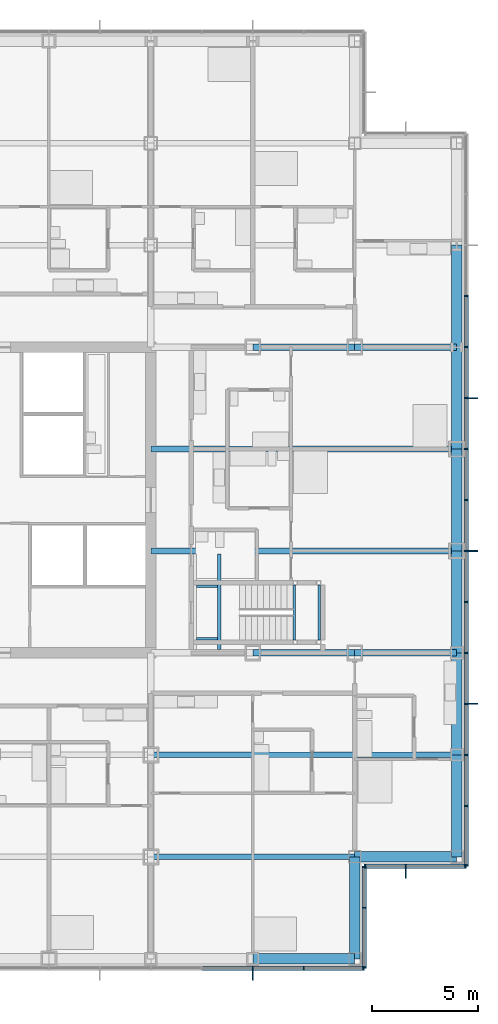
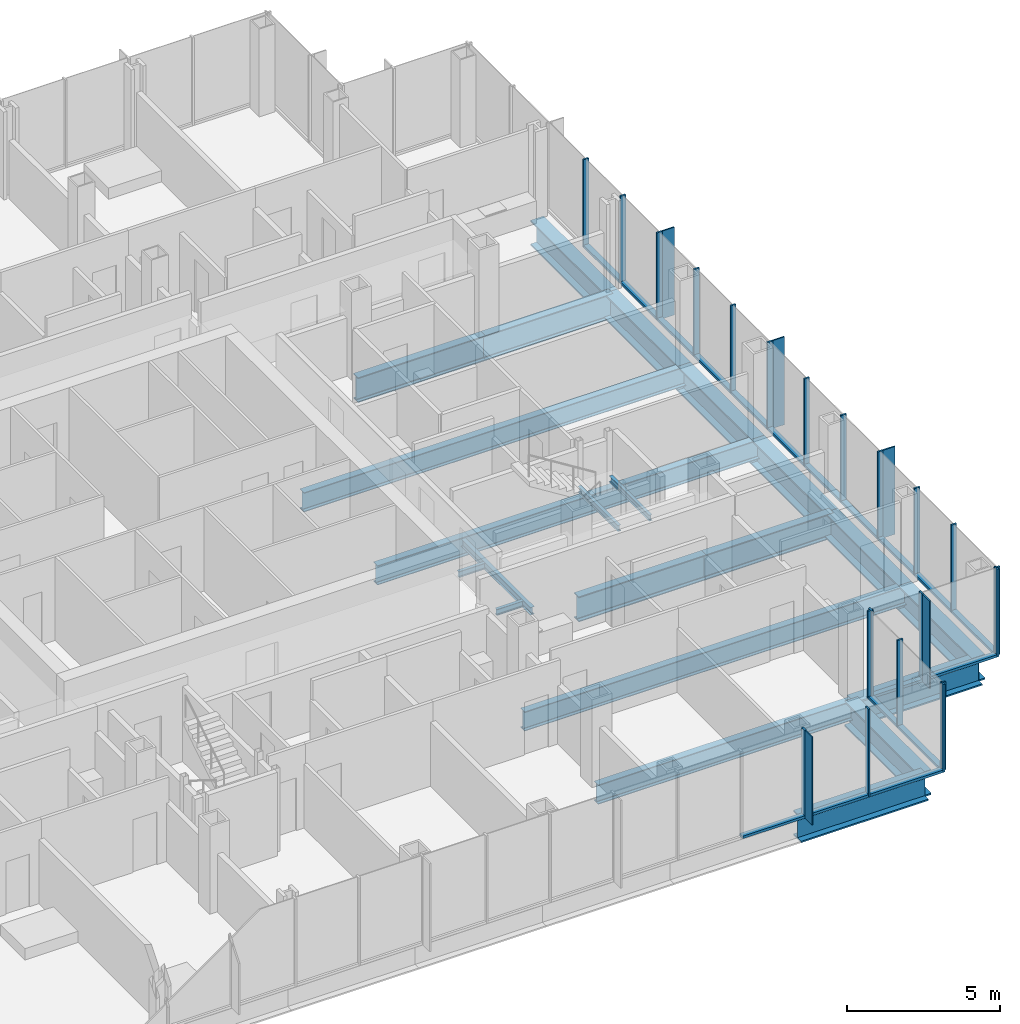
# One storey, part 9 of 21: 44 members, 22 beams, 4 elements without a shape of their own.
"""IFC4 building model written with IfcOpenShell, lengths in metres."""

from ifc_helpers import new_model, si_unit, direction, frame, origin, origin_2d, place, context, subcontext, project, spatial, rectangle, i_section, extrude, material, material_profile, profile_set, type_object, element, aggregate, save


model = new_model("IFC4")

# Units and contexts
model_context = context("Model", 3, precision=1e-05, world=origin(), true_north=direction((0.0, 1.0)))
body_context = subcontext(model_context, "Body", "Model", "MODEL_VIEW")
ifc_project = project(units=[si_unit("LENGTHUNIT", "METRE"), si_unit("AREAUNIT", "SQUARE_METRE"), si_unit("VOLUMEUNIT", "CUBIC_METRE"), si_unit("PLANEANGLEUNIT", "RADIAN"), si_unit("MASSUNIT", "GRAM", prefix="KILO")], contexts=[model_context])

# Site, building, storey
site_placement = place(None, origin())
site = spatial("IfcSite", under=ifc_project, at=site_placement, CompositionType="ELEMENT")
building_placement = place(site_placement, origin())
building = spatial("IfcBuilding", under=site, at=building_placement, Name="Kvirike Care Tower", CompositionType="ELEMENT")
storey_placement = place(building_placement, frame((0.0, 0.0, 41.0)))
storey = spatial("IfcBuildingStorey", under=building, at=storey_placement, Name="L10", CompositionType="ELEMENT", Elevation=41.0)

# Curtain wall, member
ifc_material_1 = material(Name="Anodised aluminium stick system", Category="aluminium")
curtain_wall_type = type_object("IfcCurtainWallType", Name="CW-A STICK CURTAIN WALL", PredefinedType="NOTDEFINED", material=ifc_material_1)
curtain_wall_1_placement = place(storey_placement, origin())
curtain_wall_1 = element("IfcCurtainWall", 1, at=curtain_wall_1_placement, inside=storey, type_object=curtain_wall_type, Name="Curtain wall L10 face 4", PredefinedType="NOTDEFINED")
ifc_material_2 = material(Name="Bronze anodised aluminium fin", Category="aluminium")
ifc_material_profile_1 = material_profile(ifc_material_2, rectangle(XDim=0.050048828125, YDim=0.449951171875, at=origin_2d()), Name="BRONZE FIN 450")
ifc_profile_set_1 = profile_set([ifc_material_profile_1], Name="Bronze anodised aluminium fin")
member_type_1 = type_object("IfcMemberType", Name="BRONZE FIN 450", PredefinedType="USERDEFINED", material=ifc_profile_set_1)
member_1_placement = place(storey_placement, frame((33.60009765625, 13.625, 0.0), z_axis=(0.0, 0.0, 1.0), x_axis=(1.0, 0.0, 0.0)))
member_1 = element("IfcMember", 2, at=member_1_placement, type_object=member_type_1, Name="Bronze fin L10 face 4.13", ObjectType="FIN", PredefinedType="USERDEFINED", context=body_context, shape_type="SweptSolid", body=[
    extrude(rectangle(XDim=0.050048828125, YDim=0.449951171875, at=origin_2d()), origin(), (0.0, 0.0, 1.0), 3.5),
])

curtain_wall_2_placement = place(storey_placement, origin())
curtain_wall_2 = element("IfcCurtainWall", 3, at=curtain_wall_2_placement, inside=storey, type_object=curtain_wall_type, Name="Curtain wall L10 face 6", PredefinedType="NOTDEFINED")
member_2_placement = place(storey_placement, frame((40.800048828125, 18.425048828125, 0.0), z_axis=(0.0, 0.0, 1.0), x_axis=(1.0, 0.0, 0.0)))
member_2 = element("IfcMember", 4, at=member_2_placement, type_object=member_type_1, Name="Bronze fin L10 face 6.2", ObjectType="FIN", PredefinedType="USERDEFINED", context=body_context, shape_type="SweptSolid", body=[
    extrude(rectangle(XDim=0.050048828125, YDim=0.449951171875, at=origin_2d()), origin(), (0.0, 0.0, 1.0), 3.5),
])

# Curtain wall, members
curtain_wall_3_placement = place(storey_placement, origin())
curtain_wall_3 = element("IfcCurtainWall", 5, at=curtain_wall_3_placement, inside=storey, type_object=curtain_wall_type, Name="Curtain wall L10 face 7", PredefinedType="NOTDEFINED")
member_3_placement = place(storey_placement, frame((43.97509765625, 26.39990234375, 0.0), z_axis=(0.0, 0.0, 1.0), x_axis=(0.0, 1.0, 0.0)))
member_3 = element("IfcMember", 6, at=member_3_placement, type_object=member_type_1, Name="Bronze fin L10 face 7.4", ObjectType="FIN", PredefinedType="USERDEFINED", context=body_context, shape_type="SweptSolid", body=[
    extrude(rectangle(XDim=0.050048828125, YDim=0.449951171875, at=origin_2d()), origin(), (0.0, 0.0, 1.0), 3.5),
])
member_4_placement = place(storey_placement, frame((43.97509765625, 33.60009765625, 0.0), z_axis=(0.0, 0.0, 1.0), x_axis=(0.0, 1.0, 0.0)))
member_4 = element("IfcMember", 7, at=member_4_placement, type_object=member_type_1, Name="Bronze fin L10 face 7.7", ObjectType="FIN", PredefinedType="USERDEFINED", context=body_context, shape_type="SweptSolid", body=[
    extrude(rectangle(XDim=0.050048828125, YDim=0.449951171875, at=origin_2d()), origin(), (0.0, 0.0, 1.0), 3.5),
])
member_5_placement = place(storey_placement, frame((43.97509765625, 40.800048828125, 0.0), z_axis=(0.0, 0.0, 1.0), x_axis=(0.0, 1.0, 0.0)))
member_5 = element("IfcMember", 8, at=member_5_placement, type_object=member_type_1, Name="Bronze fin L10 face 7.10", ObjectType="FIN", PredefinedType="USERDEFINED", context=body_context, shape_type="SweptSolid", body=[
    extrude(rectangle(XDim=0.050048828125, YDim=0.449951171875, at=origin_2d()), origin(), (0.0, 0.0, 1.0), 3.5),
])

# Member
ifc_material_3 = material(Name="Bronze anodised aluminium mullion", Category="aluminium")
ifc_material_profile_2 = material_profile(ifc_material_3, rectangle(XDim=0.06494140625, YDim=0.199951171875, at=origin_2d()), Name="CW-A MULLION 65x200")
ifc_profile_set_2 = profile_set([ifc_material_profile_2], Name="Bronze anodised aluminium mullion")
member_type_2 = type_object("IfcMemberType", Name="CW-A MULLION 65x200", PredefinedType="MULLION", material=ifc_profile_set_2)
member_6_placement = place(storey_placement, frame((33.60009765625, 13.949951171875, 0.0), z_axis=(0.0, 0.0, 1.0), x_axis=(1.0, 0.0, 0.0)))
member_6 = element("IfcMember", 9, at=member_6_placement, type_object=member_type_2, Name="CW-A mullion L10 face 4.13", PredefinedType="MULLION", context=body_context, shape_type="SweptSolid", body=[
    extrude(rectangle(XDim=0.06494140625, YDim=0.199951171875, at=origin_2d()), origin(), (0.0, 0.0, 1.0), 3.5),
])

member_7_placement = place(storey_placement, frame((36.0, 13.949951171875, 0.0), z_axis=(0.0, 0.0, 1.0), x_axis=(1.0, 0.0, 0.0)))
member_7 = element("IfcMember", 10, at=member_7_placement, type_object=member_type_2, Name="CW-A mullion L10 face 4.14", PredefinedType="MULLION", context=body_context, shape_type="SweptSolid", body=[
    extrude(rectangle(XDim=0.06494140625, YDim=0.199951171875, at=origin_2d()), origin(), (0.0, 0.0, 1.0), 3.5),
])

member_8_placement = place(storey_placement, frame((38.8173828125, 13.949951171875, 0.0), z_axis=(0.0, 0.0, 1.0), x_axis=(1.0, 0.0, 0.0)))
member_8 = element("IfcMember", 11, at=member_8_placement, type_object=member_type_2, Name="CW-A mullion L10 face 4.15", PredefinedType="MULLION", context=body_context, shape_type="SweptSolid", body=[
    extrude(rectangle(XDim=0.06494140625, YDim=0.199951171875, at=origin_2d()), origin(), (0.0, 0.0, 1.0), 3.5),
])

# Curtain wall, members
curtain_wall_4_placement = place(storey_placement, origin())
curtain_wall_4 = element("IfcCurtainWall", 12, at=curtain_wall_4_placement, inside=storey, type_object=curtain_wall_type, Name="Curtain wall L10 face 5", PredefinedType="NOTDEFINED")
member_9_placement = place(storey_placement, frame((38.85009765625, 13.982421875, 0.0), z_axis=(0.0, 0.0, 1.0), x_axis=(0.0, 1.0, 0.0)))
member_9 = element("IfcMember", 13, at=member_9_placement, type_object=member_type_2, Name="CW-A mullion L10 face 5.1", PredefinedType="MULLION", context=body_context, shape_type="SweptSolid", body=[
    extrude(rectangle(XDim=0.06494140625, YDim=0.199951171875, at=origin_2d()), origin(), (0.0, 0.0, 1.0), 3.5),
])
member_10_placement = place(storey_placement, frame((38.85009765625, 16.800048828125, 0.0), z_axis=(0.0, 0.0, 1.0), x_axis=(0.0, 1.0, 0.0)))
member_10 = element("IfcMember", 14, at=member_10_placement, type_object=member_type_2, Name="CW-A mullion L10 face 5.2", PredefinedType="MULLION", context=body_context, shape_type="SweptSolid", body=[
    extrude(rectangle(XDim=0.06494140625, YDim=0.199951171875, at=origin_2d()), origin(), (0.0, 0.0, 1.0), 3.5),
])
member_11_placement = place(storey_placement, frame((38.85009765625, 18.717529296875, 0.0), z_axis=(0.0, 0.0, 1.0), x_axis=(0.0, 1.0, 0.0)))
member_11 = element("IfcMember", 15, at=member_11_placement, type_object=member_type_2, Name="CW-A mullion L10 face 5.3", PredefinedType="MULLION", context=body_context, shape_type="SweptSolid", body=[
    extrude(rectangle(XDim=0.06494140625, YDim=0.199951171875, at=origin_2d()), origin(), (0.0, 0.0, 1.0), 3.5),
])

# Member
member_12_placement = place(storey_placement, frame((38.882568359375, 18.75, 0.0), z_axis=(0.0, 0.0, 1.0), x_axis=(1.0, 0.0, 0.0)))
member_12 = element("IfcMember", 16, at=member_12_placement, type_object=member_type_2, Name="CW-A mullion L10 face 6.1", PredefinedType="MULLION", context=body_context, shape_type="SweptSolid", body=[
    extrude(rectangle(XDim=0.06494140625, YDim=0.199951171875, at=origin_2d()), origin(), (0.0, 0.0, 1.0), 3.5),
])

member_13_placement = place(storey_placement, frame((40.800048828125, 18.75, 0.0), z_axis=(0.0, 0.0, 1.0), x_axis=(1.0, 0.0, 0.0)))
member_13 = element("IfcMember", 17, at=member_13_placement, type_object=member_type_2, Name="CW-A mullion L10 face 6.2", PredefinedType="MULLION", context=body_context, shape_type="SweptSolid", body=[
    extrude(rectangle(XDim=0.06494140625, YDim=0.199951171875, at=origin_2d()), origin(), (0.0, 0.0, 1.0), 3.5),
])

member_14_placement = place(storey_placement, frame((43.617431640625, 18.75, 0.0), z_axis=(0.0, 0.0, 1.0), x_axis=(1.0, 0.0, 0.0)))
member_14 = element("IfcMember", 18, at=member_14_placement, type_object=member_type_2, Name="CW-A mullion L10 face 6.3", PredefinedType="MULLION", context=body_context, shape_type="SweptSolid", body=[
    extrude(rectangle(XDim=0.06494140625, YDim=0.199951171875, at=origin_2d()), origin(), (0.0, 0.0, 1.0), 3.5),
])

member_15_placement = place(storey_placement, frame((43.64990234375, 18.782470703125, 0.0), z_axis=(0.0, 0.0, 1.0), x_axis=(0.0, 1.0, 0.0)))
member_15 = element("IfcMember", 19, at=member_15_placement, type_object=member_type_2, Name="CW-A mullion L10 face 7.1", PredefinedType="MULLION", context=body_context, shape_type="SweptSolid", body=[
    extrude(rectangle(XDim=0.06494140625, YDim=0.199951171875, at=origin_2d()), origin(), (0.0, 0.0, 1.0), 3.5),
])

member_16_placement = place(storey_placement, frame((43.64990234375, 21.60009765625, 0.0), z_axis=(0.0, 0.0, 1.0), x_axis=(0.0, 1.0, 0.0)))
member_16 = element("IfcMember", 20, at=member_16_placement, type_object=member_type_2, Name="CW-A mullion L10 face 7.2", PredefinedType="MULLION", context=body_context, shape_type="SweptSolid", body=[
    extrude(rectangle(XDim=0.06494140625, YDim=0.199951171875, at=origin_2d()), origin(), (0.0, 0.0, 1.0), 3.5),
])

member_17_placement = place(storey_placement, frame((43.64990234375, 24.0, 0.0), z_axis=(0.0, 0.0, 1.0), x_axis=(0.0, 1.0, 0.0)))
member_17 = element("IfcMember", 21, at=member_17_placement, type_object=member_type_2, Name="CW-A mullion L10 face 7.3", PredefinedType="MULLION", context=body_context, shape_type="SweptSolid", body=[
    extrude(rectangle(XDim=0.06494140625, YDim=0.199951171875, at=origin_2d()), origin(), (0.0, 0.0, 1.0), 3.5),
])

member_18_placement = place(storey_placement, frame((43.64990234375, 26.39990234375, 0.0), z_axis=(0.0, 0.0, 1.0), x_axis=(0.0, 1.0, 0.0)))
member_18 = element("IfcMember", 22, at=member_18_placement, type_object=member_type_2, Name="CW-A mullion L10 face 7.4", PredefinedType="MULLION", context=body_context, shape_type="SweptSolid", body=[
    extrude(rectangle(XDim=0.06494140625, YDim=0.199951171875, at=origin_2d()), origin(), (0.0, 0.0, 1.0), 3.5),
])

member_19_placement = place(storey_placement, frame((43.64990234375, 28.800048828125, 0.0), z_axis=(0.0, 0.0, 1.0), x_axis=(0.0, 1.0, 0.0)))
member_19 = element("IfcMember", 23, at=member_19_placement, type_object=member_type_2, Name="CW-A mullion L10 face 7.5", PredefinedType="MULLION", context=body_context, shape_type="SweptSolid", body=[
    extrude(rectangle(XDim=0.06494140625, YDim=0.199951171875, at=origin_2d()), origin(), (0.0, 0.0, 1.0), 3.5),
])

member_20_placement = place(storey_placement, frame((43.64990234375, 31.199951171875, 0.0), z_axis=(0.0, 0.0, 1.0), x_axis=(0.0, 1.0, 0.0)))
member_20 = element("IfcMember", 24, at=member_20_placement, type_object=member_type_2, Name="CW-A mullion L10 face 7.6", PredefinedType="MULLION", context=body_context, shape_type="SweptSolid", body=[
    extrude(rectangle(XDim=0.06494140625, YDim=0.199951171875, at=origin_2d()), origin(), (0.0, 0.0, 1.0), 3.5),
])

member_21_placement = place(storey_placement, frame((43.64990234375, 33.60009765625, 0.0), z_axis=(0.0, 0.0, 1.0), x_axis=(0.0, 1.0, 0.0)))
member_21 = element("IfcMember", 25, at=member_21_placement, type_object=member_type_2, Name="CW-A mullion L10 face 7.7", PredefinedType="MULLION", context=body_context, shape_type="SweptSolid", body=[
    extrude(rectangle(XDim=0.06494140625, YDim=0.199951171875, at=origin_2d()), origin(), (0.0, 0.0, 1.0), 3.5),
])

member_22_placement = place(storey_placement, frame((43.64990234375, 36.0, 0.0), z_axis=(0.0, 0.0, 1.0), x_axis=(0.0, 1.0, 0.0)))
member_22 = element("IfcMember", 26, at=member_22_placement, type_object=member_type_2, Name="CW-A mullion L10 face 7.8", PredefinedType="MULLION", context=body_context, shape_type="SweptSolid", body=[
    extrude(rectangle(XDim=0.06494140625, YDim=0.199951171875, at=origin_2d()), origin(), (0.0, 0.0, 1.0), 3.5),
])

member_23_placement = place(storey_placement, frame((43.64990234375, 38.39990234375, 0.0), z_axis=(0.0, 0.0, 1.0), x_axis=(0.0, 1.0, 0.0)))
member_23 = element("IfcMember", 27, at=member_23_placement, type_object=member_type_2, Name="CW-A mullion L10 face 7.9", PredefinedType="MULLION", context=body_context, shape_type="SweptSolid", body=[
    extrude(rectangle(XDim=0.06494140625, YDim=0.199951171875, at=origin_2d()), origin(), (0.0, 0.0, 1.0), 3.5),
])

member_24_placement = place(storey_placement, frame((43.64990234375, 40.800048828125, 0.0), z_axis=(0.0, 0.0, 1.0), x_axis=(0.0, 1.0, 0.0)))
member_24 = element("IfcMember", 28, at=member_24_placement, type_object=member_type_2, Name="CW-A mullion L10 face 7.10", PredefinedType="MULLION", context=body_context, shape_type="SweptSolid", body=[
    extrude(rectangle(XDim=0.06494140625, YDim=0.199951171875, at=origin_2d()), origin(), (0.0, 0.0, 1.0), 3.5),
])

member_25_placement = place(storey_placement, frame((43.64990234375, 43.199951171875, 0.0), z_axis=(0.0, 0.0, 1.0), x_axis=(0.0, 1.0, 0.0)))
member_25 = element("IfcMember", 29, at=member_25_placement, type_object=member_type_2, Name="CW-A mullion L10 face 7.11", PredefinedType="MULLION", context=body_context, shape_type="SweptSolid", body=[
    extrude(rectangle(XDim=0.06494140625, YDim=0.199951171875, at=origin_2d()), origin(), (0.0, 0.0, 1.0), 3.5),
])

member_26_placement = place(storey_placement, frame((43.64990234375, 45.60009765625, 0.0), z_axis=(0.0, 0.0, 1.0), x_axis=(0.0, 1.0, 0.0)))
member_26 = element("IfcMember", 30, at=member_26_placement, type_object=member_type_2, Name="CW-A mullion L10 face 7.12", PredefinedType="MULLION", context=body_context, shape_type="SweptSolid", body=[
    extrude(rectangle(XDim=0.06494140625, YDim=0.199951171875, at=origin_2d()), origin(), (0.0, 0.0, 1.0), 3.5),
])

ifc_material_4 = material(Name="Bronze anodised aluminium transom", Category="aluminium")
ifc_material_profile_3 = material_profile(ifc_material_4, rectangle(XDim=0.199951171875, YDim=0.10009765625, at=origin_2d()), Name="CW-A TRANSOM 200x100")
ifc_profile_set_3 = profile_set([ifc_material_profile_3], Name="Bronze anodised aluminium transom")
member_type_3 = type_object("IfcMemberType", Name="CW-A TRANSOM 200x100", PredefinedType="USERDEFINED", material=ifc_profile_set_3)
member_27_placement = place(storey_placement, frame((31.232421875, 13.949951171875, 0.050048828125), z_axis=(1.0, 0.0, 0.0), x_axis=(0.0, 1.0, 0.0)))
member_27 = element("IfcMember", 31, at=member_27_placement, type_object=member_type_3, Name="CW-A sill transom L10 face 4.12", ObjectType="TRANSOM", PredefinedType="USERDEFINED", context=body_context, shape_type="SweptSolid", body=[
    extrude(rectangle(XDim=0.199951171875, YDim=0.10009765625, at=origin_2d()), origin(), (0.0, 0.0, 1.0), 2.3349609375),
])

member_28_placement = place(storey_placement, frame((33.632568359375, 13.949951171875, 0.050048828125), z_axis=(1.0, 0.0, 0.0), x_axis=(0.0, 1.0, 0.0)))
member_28 = element("IfcMember", 32, at=member_28_placement, type_object=member_type_3, Name="CW-A sill transom L10 face 4.13", ObjectType="TRANSOM", PredefinedType="USERDEFINED", context=body_context, shape_type="SweptSolid", body=[
    extrude(rectangle(XDim=0.199951171875, YDim=0.10009765625, at=origin_2d()), origin(), (0.0, 0.0, 1.0), 2.3349609375),
])

member_29_placement = place(storey_placement, frame((36.032470703125, 13.949951171875, 0.050048828125), z_axis=(1.0, 0.0, 0.0), x_axis=(0.0, 1.0, 0.0)))
member_29 = element("IfcMember", 33, at=member_29_placement, type_object=member_type_3, Name="CW-A sill transom L10 face 4.14", ObjectType="TRANSOM", PredefinedType="USERDEFINED", context=body_context, shape_type="SweptSolid", body=[
    extrude(rectangle(XDim=0.199951171875, YDim=0.10009765625, at=origin_2d()), origin(), (0.0, 0.0, 1.0), 2.75244140625),
])

aggregate(curtain_wall_1, [member_6, member_1, member_7, member_8, member_27, member_28, member_29])

member_30_placement = place(storey_placement, frame((38.85009765625, 14.014892578125, 0.050048828125), z_axis=(0.0, 1.0, 0.0), x_axis=(-1.0, 0.0, 0.0)))
member_30 = element("IfcMember", 34, at=member_30_placement, type_object=member_type_3, Name="CW-A sill transom L10 face 5.1", ObjectType="TRANSOM", PredefinedType="USERDEFINED", context=body_context, shape_type="SweptSolid", body=[
    extrude(rectangle(XDim=0.199951171875, YDim=0.10009765625, at=origin_2d()), origin(), (0.0, 0.0, 1.0), 2.752685546875),
])

member_31_placement = place(storey_placement, frame((38.85009765625, 16.83251953125, 0.050048828125), z_axis=(0.0, 1.0, 0.0), x_axis=(-1.0, 0.0, 0.0)))
member_31 = element("IfcMember", 35, at=member_31_placement, type_object=member_type_3, Name="CW-A sill transom L10 face 5.2", ObjectType="TRANSOM", PredefinedType="USERDEFINED", context=body_context, shape_type="SweptSolid", body=[
    extrude(rectangle(XDim=0.199951171875, YDim=0.10009765625, at=origin_2d()), origin(), (0.0, 0.0, 1.0), 1.8525390625),
])

aggregate(curtain_wall_4, [member_9, member_10, member_11, member_30, member_31])

member_32_placement = place(storey_placement, frame((38.9150390625, 18.75, 0.050048828125), z_axis=(1.0, 0.0, 0.0), x_axis=(0.0, 1.0, 0.0)))
member_32 = element("IfcMember", 36, at=member_32_placement, type_object=member_type_3, Name="CW-A sill transom L10 face 6.1", ObjectType="TRANSOM", PredefinedType="USERDEFINED", context=body_context, shape_type="SweptSolid", body=[
    extrude(rectangle(XDim=0.199951171875, YDim=0.10009765625, at=origin_2d()), origin(), (0.0, 0.0, 1.0), 1.8525390625),
])

member_33_placement = place(storey_placement, frame((40.83251953125, 18.75, 0.050048828125), z_axis=(1.0, 0.0, 0.0), x_axis=(0.0, 1.0, 0.0)))
member_33 = element("IfcMember", 37, at=member_33_placement, type_object=member_type_3, Name="CW-A sill transom L10 face 6.2", ObjectType="TRANSOM", PredefinedType="USERDEFINED", context=body_context, shape_type="SweptSolid", body=[
    extrude(rectangle(XDim=0.199951171875, YDim=0.10009765625, at=origin_2d()), origin(), (0.0, 0.0, 1.0), 2.75244140625),
])

aggregate(curtain_wall_2, [member_12, member_13, member_2, member_14, member_32, member_33])

member_34_placement = place(storey_placement, frame((43.64990234375, 18.81494140625, 0.050048828125), z_axis=(0.0, 1.0, 0.0), x_axis=(-1.0, 0.0, 0.0)))
member_34 = element("IfcMember", 38, at=member_34_placement, type_object=member_type_3, Name="CW-A sill transom L10 face 7.1", ObjectType="TRANSOM", PredefinedType="USERDEFINED", context=body_context, shape_type="SweptSolid", body=[
    extrude(rectangle(XDim=0.199951171875, YDim=0.10009765625, at=origin_2d()), origin(), (0.0, 0.0, 1.0), 2.75244140625),
])

member_35_placement = place(storey_placement, frame((43.64990234375, 21.632568359375, 0.050048828125), z_axis=(0.0, 1.0, 0.0), x_axis=(-1.0, 0.0, 0.0)))
member_35 = element("IfcMember", 39, at=member_35_placement, type_object=member_type_3, Name="CW-A sill transom L10 face 7.2", ObjectType="TRANSOM", PredefinedType="USERDEFINED", context=body_context, shape_type="SweptSolid", body=[
    extrude(rectangle(XDim=0.199951171875, YDim=0.10009765625, at=origin_2d()), origin(), (0.0, 0.0, 1.0), 2.3349609375),
])

member_36_placement = place(storey_placement, frame((43.64990234375, 24.032470703125, 0.050048828125), z_axis=(0.0, 1.0, 0.0), x_axis=(-1.0, 0.0, 0.0)))
member_36 = element("IfcMember", 40, at=member_36_placement, type_object=member_type_3, Name="CW-A sill transom L10 face 7.3", ObjectType="TRANSOM", PredefinedType="USERDEFINED", context=body_context, shape_type="SweptSolid", body=[
    extrude(rectangle(XDim=0.199951171875, YDim=0.10009765625, at=origin_2d()), origin(), (0.0, 0.0, 1.0), 2.3349609375),
])

member_37_placement = place(storey_placement, frame((43.64990234375, 26.4326171875, 0.050048828125), z_axis=(0.0, 1.0, 0.0), x_axis=(-1.0, 0.0, 0.0)))
member_37 = element("IfcMember", 41, at=member_37_placement, type_object=member_type_3, Name="CW-A sill transom L10 face 7.4", ObjectType="TRANSOM", PredefinedType="USERDEFINED", context=body_context, shape_type="SweptSolid", body=[
    extrude(rectangle(XDim=0.199951171875, YDim=0.10009765625, at=origin_2d()), origin(), (0.0, 0.0, 1.0), 2.3349609375),
])

member_38_placement = place(storey_placement, frame((43.64990234375, 28.83251953125, 0.050048828125), z_axis=(0.0, 1.0, 0.0), x_axis=(-1.0, 0.0, 0.0)))
member_38 = element("IfcMember", 42, at=member_38_placement, type_object=member_type_3, Name="CW-A sill transom L10 face 7.5", ObjectType="TRANSOM", PredefinedType="USERDEFINED", context=body_context, shape_type="SweptSolid", body=[
    extrude(rectangle(XDim=0.199951171875, YDim=0.10009765625, at=origin_2d()), origin(), (0.0, 0.0, 1.0), 2.3349609375),
])

member_39_placement = place(storey_placement, frame((43.64990234375, 31.232421875, 0.050048828125), z_axis=(0.0, 1.0, 0.0), x_axis=(-1.0, 0.0, 0.0)))
member_39 = element("IfcMember", 43, at=member_39_placement, type_object=member_type_3, Name="CW-A sill transom L10 face 7.6", ObjectType="TRANSOM", PredefinedType="USERDEFINED", context=body_context, shape_type="SweptSolid", body=[
    extrude(rectangle(XDim=0.199951171875, YDim=0.10009765625, at=origin_2d()), origin(), (0.0, 0.0, 1.0), 2.3349609375),
])

member_40_placement = place(storey_placement, frame((43.64990234375, 33.632568359375, 0.050048828125), z_axis=(0.0, 1.0, 0.0), x_axis=(-1.0, 0.0, 0.0)))
member_40 = element("IfcMember", 44, at=member_40_placement, type_object=member_type_3, Name="CW-A sill transom L10 face 7.7", ObjectType="TRANSOM", PredefinedType="USERDEFINED", context=body_context, shape_type="SweptSolid", body=[
    extrude(rectangle(XDim=0.199951171875, YDim=0.10009765625, at=origin_2d()), origin(), (0.0, 0.0, 1.0), 2.3349609375),
])

member_41_placement = place(storey_placement, frame((43.64990234375, 36.032470703125, 0.050048828125), z_axis=(0.0, 1.0, 0.0), x_axis=(-1.0, 0.0, 0.0)))
member_41 = element("IfcMember", 45, at=member_41_placement, type_object=member_type_3, Name="CW-A sill transom L10 face 7.8", ObjectType="TRANSOM", PredefinedType="USERDEFINED", context=body_context, shape_type="SweptSolid", body=[
    extrude(rectangle(XDim=0.199951171875, YDim=0.10009765625, at=origin_2d()), origin(), (0.0, 0.0, 1.0), 2.3349609375),
])

member_42_placement = place(storey_placement, frame((43.64990234375, 38.4326171875, 0.050048828125), z_axis=(0.0, 1.0, 0.0), x_axis=(-1.0, 0.0, 0.0)))
member_42 = element("IfcMember", 46, at=member_42_placement, type_object=member_type_3, Name="CW-A sill transom L10 face 7.9", ObjectType="TRANSOM", PredefinedType="USERDEFINED", context=body_context, shape_type="SweptSolid", body=[
    extrude(rectangle(XDim=0.199951171875, YDim=0.10009765625, at=origin_2d()), origin(), (0.0, 0.0, 1.0), 2.3349609375),
])

member_43_placement = place(storey_placement, frame((43.64990234375, 40.83251953125, 0.050048828125), z_axis=(0.0, 1.0, 0.0), x_axis=(-1.0, 0.0, 0.0)))
member_43 = element("IfcMember", 47, at=member_43_placement, type_object=member_type_3, Name="CW-A sill transom L10 face 7.10", ObjectType="TRANSOM", PredefinedType="USERDEFINED", context=body_context, shape_type="SweptSolid", body=[
    extrude(rectangle(XDim=0.199951171875, YDim=0.10009765625, at=origin_2d()), origin(), (0.0, 0.0, 1.0), 2.3349609375),
])

member_44_placement = place(storey_placement, frame((43.64990234375, 43.232421875, 0.050048828125), z_axis=(0.0, 1.0, 0.0), x_axis=(-1.0, 0.0, 0.0)))
member_44 = element("IfcMember", 48, at=member_44_placement, type_object=member_type_3, Name="CW-A sill transom L10 face 7.11", ObjectType="TRANSOM", PredefinedType="USERDEFINED", context=body_context, shape_type="SweptSolid", body=[
    extrude(rectangle(XDim=0.199951171875, YDim=0.10009765625, at=origin_2d()), origin(), (0.0, 0.0, 1.0), 2.3349609375),
])

aggregate(curtain_wall_3, [member_15, member_16, member_17, member_18, member_3, member_19, member_20, member_21, member_4, member_22, member_23, member_24, member_5, member_25, member_26, member_34, member_35, member_36, member_37, member_38, member_39, member_40, member_41, member_42, member_43, member_44])

# Beams
ifc_material_5 = material(Name="Steel S355", Category="steel")
ifc_material_profile_4 = material_profile(ifc_material_5, i_section(OverallWidth=0.26806640625, OverallDepth=0.77001953125, WebThickness=0.015625, FlangeThickness=0.025390625, FilletRadius=0.01708984375, at=origin_2d()), Name="IPE 750x196")
ifc_profile_set_4 = profile_set([ifc_material_profile_4], Name="Steel S355")
beam_type_1 = type_object("IfcBeamType", Name="FLOOR BEAM IPE 750x196", PredefinedType="BEAM", material=ifc_profile_set_4)
beam_1_placement = place(storey_placement, frame((28.800048828125, 19.199951171875, -0.554931640625), z_axis=(1.0, 0.0, 0.0), x_axis=(0.0, 1.0, 0.0)))
element("IfcBeam", 49, at=beam_1_placement, inside=storey, type_object=beam_type_1, Name="Floor Beam E9-E11 L10", PredefinedType="BEAM", context=body_context, shape_type="SweptSolid", body=[
    extrude(i_section(OverallWidth=0.26806640625, OverallDepth=0.77001953125, WebThickness=0.015625, FlangeThickness=0.025390625, FilletRadius=0.01708984375, at=origin_2d()), origin(), (0.0, 0.0, 1.0), 9.599853515625),
])
for number, where, z_axis, x_axis, name in (
    (50, (28.800048828125, 24.0, -0.554931640625), (1.0, 0.0, 0.0), (0.0, 1.0, 0.0), "Floor Beam F9-F12 L10"),
    (51, (28.800048828125, 33.60009765625, -0.554931640625), (1.0, 0.0, 0.0), (0.0, 1.0, 0.0), "Floor Beam H9-H12 L10"),
    (52, (28.800048828125, 38.39990234375, -0.554931640625), (1.0, 0.0, 0.0), (0.0, 1.0, 0.0), "Floor Beam J9-J12 L10"),
):
    element("IfcBeam", number, at=place(storey_placement, frame(where, z_axis=z_axis, x_axis=x_axis)), inside=storey, type_object=beam_type_1, Name=name, PredefinedType="BEAM", context=body_context, shape_type="SweptSolid", body=[
        extrude(i_section(OverallWidth=0.26806640625, OverallDepth=0.77001953125, WebThickness=0.015625, FlangeThickness=0.025390625, FilletRadius=0.01708984375, at=origin_2d()), origin(), (0.0, 0.0, 1.0), 14.39990234375),
    ])
ifc_material_6 = material(Name="Steel S355", Category="steel")
ifc_material_profile_5 = material_profile(ifc_material_6, i_section(OverallWidth=0.300048828125, OverallDepth=1.0, WebThickness=0.01904296875, FlangeThickness=0.035888671875, FilletRadius=0.030029296875, at=origin_2d()), Name="HE 1000 B")
ifc_profile_set_5 = profile_set([ifc_material_profile_5], Name="Steel S355")
beam_type_2 = type_object("IfcBeamType", Name="FRAME BEAM HE 1000 B", PredefinedType="BEAM", material=ifc_profile_set_5)
beam_2_placement = place(storey_placement, frame((33.60009765625, 28.800048828125, -0.669921875), z_axis=(1.0, 0.0, 0.0), x_axis=(0.0, 1.0, 0.0)))
element("IfcBeam", 53, at=beam_2_placement, inside=storey, type_object=beam_type_2, Name="Frame Beam G10-G11 L10", PredefinedType="BEAM", context=body_context, shape_type="SweptSolid", body=[
    extrude(i_section(OverallWidth=0.300048828125, OverallDepth=1.0, WebThickness=0.01904296875, FlangeThickness=0.035888671875, FilletRadius=0.030029296875, at=origin_2d()), origin(), (0.0, 0.0, 1.0), 4.7998046875),
])
beam_3_placement = place(storey_placement, frame((38.39990234375, 28.800048828125, -0.669921875), z_axis=(1.0, 0.0, 0.0), x_axis=(0.0, 1.0, 0.0)))
element("IfcBeam", 54, at=beam_3_placement, inside=storey, type_object=beam_type_2, Name="Frame Beam G11-G12 L10", PredefinedType="BEAM", context=body_context, shape_type="SweptSolid", body=[
    extrude(i_section(OverallWidth=0.300048828125, OverallDepth=1.0, WebThickness=0.01904296875, FlangeThickness=0.035888671875, FilletRadius=0.030029296875, at=origin_2d()), origin(), (0.0, 0.0, 1.0), 4.800048828125),
])
beam_4_placement = place(storey_placement, frame((33.60009765625, 43.199951171875, -0.669921875), z_axis=(1.0, 0.0, 0.0), x_axis=(0.0, 1.0, 0.0)))
element("IfcBeam", 55, at=beam_4_placement, inside=storey, type_object=beam_type_2, Name="Frame Beam K10-K11 L10", PredefinedType="BEAM", context=body_context, shape_type="SweptSolid", body=[
    extrude(i_section(OverallWidth=0.300048828125, OverallDepth=1.0, WebThickness=0.01904296875, FlangeThickness=0.035888671875, FilletRadius=0.030029296875, at=origin_2d()), origin(), (0.0, 0.0, 1.0), 4.7998046875),
])
beam_5_placement = place(storey_placement, frame((38.39990234375, 43.199951171875, -0.669921875), z_axis=(1.0, 0.0, 0.0), x_axis=(0.0, 1.0, 0.0)))
element("IfcBeam", 56, at=beam_5_placement, inside=storey, type_object=beam_type_2, Name="Frame Beam K11-K12 L10", PredefinedType="BEAM", context=body_context, shape_type="SweptSolid", body=[
    extrude(i_section(OverallWidth=0.300048828125, OverallDepth=1.0, WebThickness=0.01904296875, FlangeThickness=0.035888671875, FilletRadius=0.030029296875, at=origin_2d()), origin(), (0.0, 0.0, 1.0), 4.800048828125),
])
ifc_material_7 = material(Name="Steel S355", Category="steel")
ifc_material_profile_6 = material_profile(ifc_material_7, i_section(OverallWidth=0.5, OverallDepth=1.0, WebThickness=0.030029296875, FlangeThickness=0.06005859375, at=origin_2d()), Name="PG 1000x500x30x60")
ifc_profile_set_6 = profile_set([ifc_material_profile_6], Name="Steel S355")
beam_type_3 = type_object("IfcBeamType", Name="SPANDREL PG 1000x500x30x60", PredefinedType="SPANDREL", material=ifc_profile_set_6)
beam_6_placement = place(storey_placement, frame((33.60009765625, 14.39990234375, -0.669921875), z_axis=(1.0, 0.0, 0.0), x_axis=(0.0, 1.0, 0.0)))
element("IfcBeam", 57, at=beam_6_placement, inside=storey, type_object=beam_type_3, Name="Spandrel D10-D11 L10", PredefinedType="SPANDREL", context=body_context, shape_type="SweptSolid", body=[
    extrude(i_section(OverallWidth=0.5, OverallDepth=1.0, WebThickness=0.030029296875, FlangeThickness=0.06005859375, at=origin_2d()), origin(), (0.0, 0.0, 1.0), 4.7998046875),
])
for number, where, z_axis, x_axis, name in (
    (58, (38.39990234375, 19.199951171875, -0.669921875), (1.0, 0.0, 0.0), (0.0, 1.0, 0.0), "Spandrel E11-E12 L10"),
    (59, (38.39990234375, 14.39990234375, -0.669921875), (0.0, 1.0, 0.0), (-1.0, 0.0, 0.0), "Spandrel D11-E11 L10"),
    (60, (43.199951171875, 19.199951171875, -0.669921875), (0.0, 1.0, 0.0), (-1.0, 0.0, 0.0), "Spandrel E12-F12 L10"),
    (61, (43.199951171875, 24.0, -0.669921875), (0.0, 1.0, 0.0), (-1.0, 0.0, 0.0), "Spandrel F12-G12 L10"),
    (62, (43.199951171875, 28.800048828125, -0.669921875), (0.0, 1.0, 0.0), (-1.0, 0.0, 0.0), "Spandrel G12-H12 L10"),
):
    element("IfcBeam", number, at=place(storey_placement, frame(where, z_axis=z_axis, x_axis=x_axis)), inside=storey, type_object=beam_type_3, Name=name, PredefinedType="SPANDREL", context=body_context, shape_type="SweptSolid", body=[
        extrude(i_section(OverallWidth=0.5, OverallDepth=1.0, WebThickness=0.030029296875, FlangeThickness=0.06005859375, at=origin_2d()), origin(), (0.0, 0.0, 1.0), 4.800048828125),
    ])
beam_7_placement = place(storey_placement, frame((43.199951171875, 33.60009765625, -0.669921875), z_axis=(0.0, 1.0, 0.0), x_axis=(-1.0, 0.0, 0.0)))
element("IfcBeam", 63, at=beam_7_placement, inside=storey, type_object=beam_type_3, Name="Spandrel H12-J12 L10", PredefinedType="SPANDREL", context=body_context, shape_type="SweptSolid", body=[
    extrude(i_section(OverallWidth=0.5, OverallDepth=1.0, WebThickness=0.030029296875, FlangeThickness=0.06005859375, at=origin_2d()), origin(), (0.0, 0.0, 1.0), 4.7998046875),
])
for number, where, z_axis, x_axis, name in (
    (64, (43.199951171875, 38.39990234375, -0.669921875), (0.0, 1.0, 0.0), (-1.0, 0.0, 0.0), "Spandrel J12-K12 L10"),
    (65, (43.199951171875, 43.199951171875, -0.669921875), (0.0, 1.0, 0.0), (-1.0, 0.0, 0.0), "Spandrel K12-L12 L10"),
):
    element("IfcBeam", number, at=place(storey_placement, frame(where, z_axis=z_axis, x_axis=x_axis)), inside=storey, type_object=beam_type_3, Name=name, PredefinedType="SPANDREL", context=body_context, shape_type="SweptSolid", body=[
        extrude(i_section(OverallWidth=0.5, OverallDepth=1.0, WebThickness=0.030029296875, FlangeThickness=0.06005859375, at=origin_2d()), origin(), (0.0, 0.0, 1.0), 4.800048828125),
    ])
ifc_material_8 = material(Name="Steel S355", Category="steel")
ifc_material_profile_7 = material_profile(ifc_material_8, i_section(OverallWidth=0.1201171875, OverallDepth=0.239990234375, WebThickness=0.006103515625, FlangeThickness=0.009765625, FilletRadius=0.014892578125, at=origin_2d()), Name="IPE 240")
ifc_profile_set_7 = profile_set([ifc_material_profile_7], Name="Steel S355")
beam_type_4 = type_object("IfcBeamType", Name="STAIR LANDING BEAM IPE 240", PredefinedType="BEAM", material=ifc_profile_set_7)
for number, where, z_axis, x_axis, name in (
    (66, (36.739990234375, 29.39990234375, 1.429931640625), (0.0, 1.0, 0.0), (-1.0, 0.0, 0.0), "Stair 2 landing beam back L10"),
    (67, (35.56005859375, 29.39990234375, 1.429931640625), (0.0, 1.0, 0.0), (-1.0, 0.0, 0.0), "Stair 2 landing beam front L10"),
):
    element("IfcBeam", number, at=place(storey_placement, frame(where, z_axis=z_axis, x_axis=x_axis)), inside=storey, type_object=beam_type_4, Name=name, PredefinedType="BEAM", context=body_context, shape_type="SweptSolid", body=[
        extrude(i_section(OverallWidth=0.1201171875, OverallDepth=0.239990234375, WebThickness=0.006103515625, FlangeThickness=0.009765625, FilletRadius=0.014892578125, at=origin_2d()), origin(), (0.0, 0.0, 1.0), 2.60009765625),
    ])
for number, where, z_axis, x_axis, name in (
    (68, (31.949951171875, 29.4599609375, -0.320068359375), (-1.0, 0.0, 0.0), (0.0, -1.0, 0.0), "Stair 2 landing edge beam 1 L10"),
    (69, (31.949951171875, 31.93994140625, -0.320068359375), (-1.0, 0.0, 0.0), (0.0, -1.0, 0.0), "Stair 2 landing edge beam 2 L10"),
):
    element("IfcBeam", number, at=place(storey_placement, frame(where, z_axis=z_axis, x_axis=x_axis)), inside=storey, type_object=beam_type_4, Name=name, PredefinedType="BEAM", context=body_context, shape_type="SweptSolid", body=[
        extrude(i_section(OverallWidth=0.1201171875, OverallDepth=0.239990234375, WebThickness=0.006103515625, FlangeThickness=0.009765625, FilletRadius=0.014892578125, at=origin_2d()), origin(), (0.0, 0.0, 1.0), 1.0),
    ])
ifc_material_9 = material(Name="Steel S355", Category="steel")
ifc_material_profile_8 = material_profile(ifc_material_9, i_section(OverallWidth=0.14990234375, OverallDepth=0.300048828125, WebThickness=0.007080078125, FlangeThickness=0.0107421875, FilletRadius=0.014892578125, at=origin_2d()), Name="IPE 300")
ifc_profile_set_8 = profile_set([ifc_material_profile_8], Name="Steel S355")
beam_type_5 = type_object("IfcBeamType", Name="STAIR TRIMMER IPE 300", PredefinedType="BEAM", material=ifc_profile_set_8)
beam_8_placement = place(storey_placement, frame((32.02490234375, 28.949951171875, -0.35009765625), z_axis=(0.0, 1.0, 0.0), x_axis=(-1.0, 0.0, 0.0)))
element("IfcBeam", 70, at=beam_8_placement, inside=storey, type_object=beam_type_5, Name="Stair 2 trimmer 1 L10", PredefinedType="BEAM", context=body_context, shape_type="SweptSolid", body=[
    extrude(i_section(OverallWidth=0.14990234375, OverallDepth=0.300048828125, WebThickness=0.007080078125, FlangeThickness=0.0107421875, FilletRadius=0.014892578125, at=origin_2d()), origin(), (0.0, 0.0, 1.0), 4.51611328125),
])

save(model, "model.ifc")
